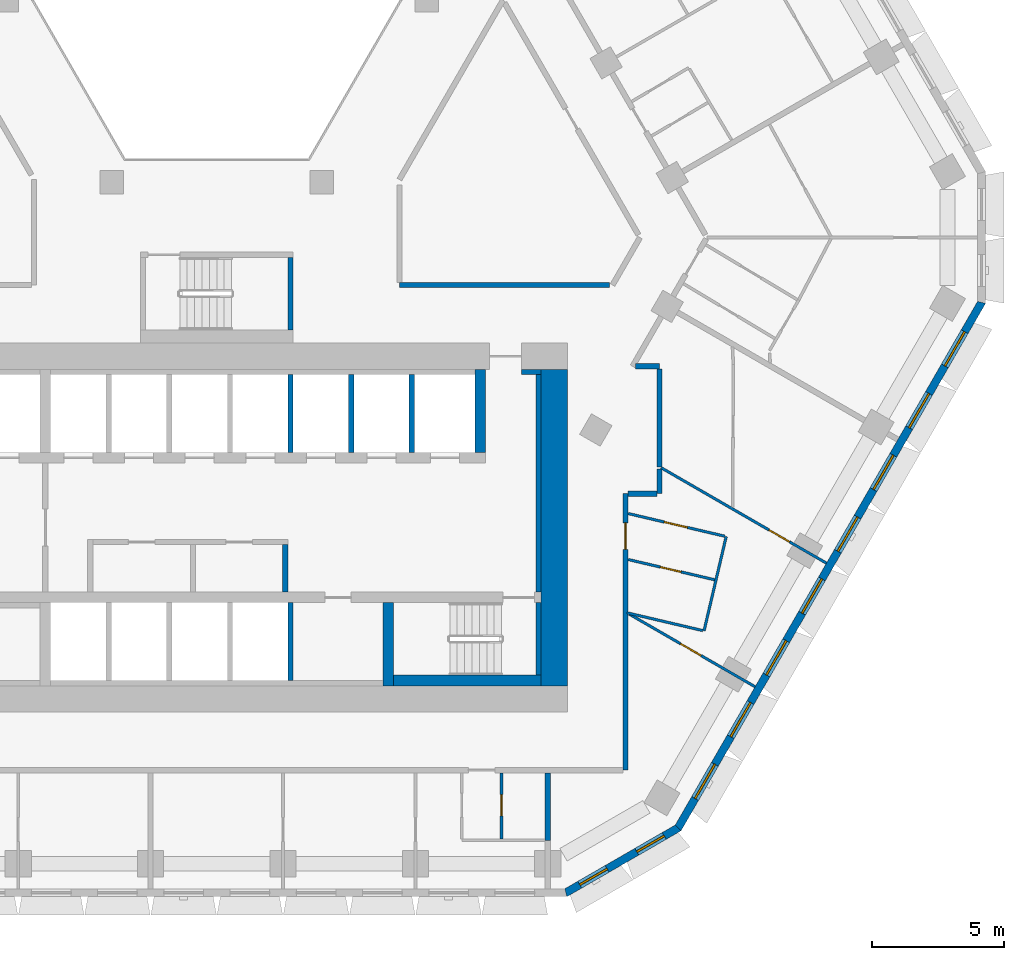
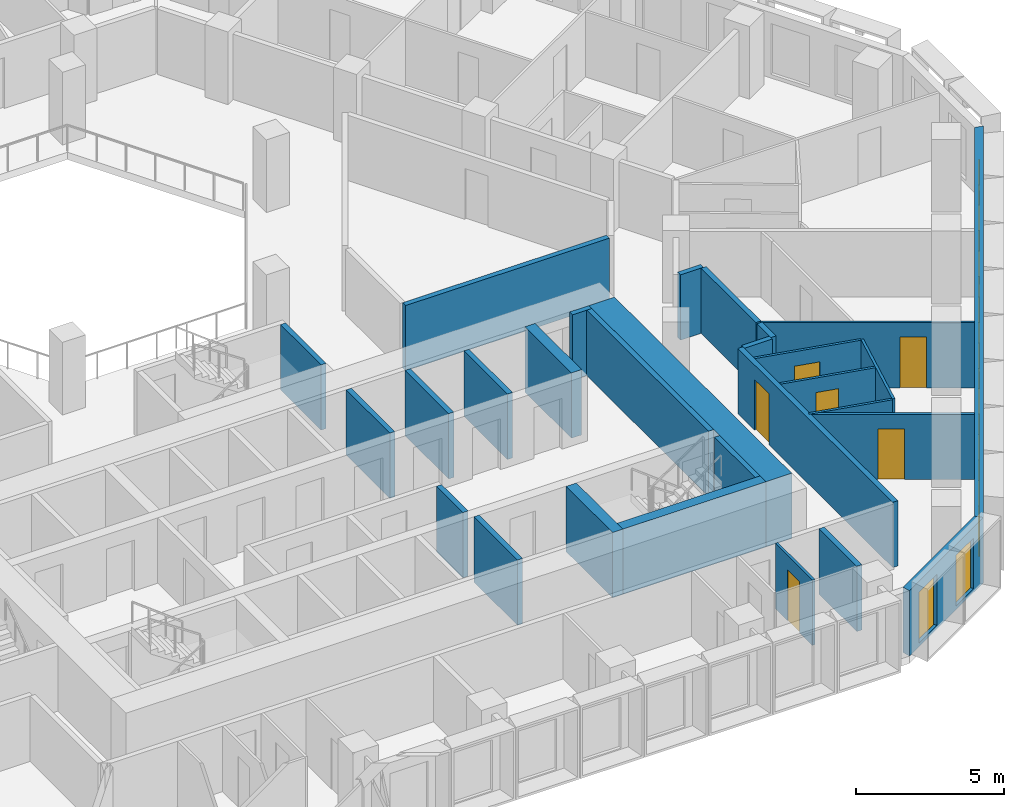
# One storey, part 6 of 18: 29 walls, 10 windows, 6 doors, 16 openings.
"""IFC4 building model written with IfcOpenShell, lengths in metres."""

from ifc_helpers import new_model, si_unit, direction, frame, frame_2d, origin, place, context, subcontext, project, spatial, polyline, rectangle, outline, extrude, material, layer, layer_set, type_object, element, fill, save


model = new_model("IFC4")

# Units and contexts
model_context = context("Model", 3, precision=1e-05, world=origin(), true_north=direction((0.0, 1.0)))
body_context = subcontext(model_context, "Body", "Model", "MODEL_VIEW")
ifc_project = project(units=[si_unit("LENGTHUNIT", "METRE"), si_unit("AREAUNIT", "SQUARE_METRE"), si_unit("VOLUMEUNIT", "CUBIC_METRE"), si_unit("PLANEANGLEUNIT", "RADIAN"), si_unit("MASSUNIT", "GRAM", prefix="KILO")], contexts=[model_context])

# Site, building, storey
site_placement = place(None, origin())
site = spatial("IfcSite", under=ifc_project, at=site_placement, CompositionType="ELEMENT")
building_placement = place(site_placement, origin())
building = spatial("IfcBuilding", under=site, at=building_placement, Name="Beryl Residences", CompositionType="ELEMENT")
storey_placement = place(building_placement, frame((0.0, 0.0, 75.0)))
storey = spatial("IfcBuildingStorey", under=building, at=storey_placement, Name="L22", CompositionType="ELEMENT", Elevation=75.0)

# Wall, openings, windows
ifc_material_1 = material(Name="Composite metal panel with mineral wool insulation")
ifc_layer_1 = layer(ifc_material_1, 0.300048828125)
ifc_layer_set_1 = layer_set([ifc_layer_1], Name="ES1 pale metal composite panel wall 300 mm")
wall_type_1 = type_object("IfcWallType", Name="ES1 pale metal composite panel wall 300 mm", PredefinedType="SOLIDWALL", material=ifc_layer_set_1)
wall_1_placement = place(storey_placement, frame((13.2041015625, -25.8701171875, 0.0), z_axis=(0.0, 0.0, 1.0), x_axis=(0.866010750942, 0.50002537861, 0.0)))
wall_1 = element("IfcWall", 1, at=wall_1_placement, inside=storey, type_object=wall_type_1, Name="ES1 external wall L22 S-SE", PredefinedType="SOLIDWALL", context=body_context, shape_type="SweptSolid", body=[
    extrude(outline(polyline([(0.0, -0.14990234375), (4.999755859375, -0.14990234375), (4.91943359375, 0.14990234375), (0.080322265625, 0.14990234375), (0.0, -0.14990234375)])), origin(), (0.0, 0.0, 1.0), 2.699951171875),
])
opening_1_placement = place(wall_1_placement, frame((0.64990234375, 0.0, 0.14990234375)))
opening_1 = element("IfcOpeningElement", 2, at=opening_1_placement, cuts=wall_1, Name="Opening W2", PredefinedType="OPENING", context=body_context, shape_type="SweptSolid", body=[
    extrude(rectangle(XDim=1.199951171875, YDim=2.10009765625, at=frame_2d((0.60009765625, 1.050048828125))), frame((0.0, 0.159912109375, 0.0), z_axis=(0.0, -1.0, 0.0), x_axis=(1.0, 0.0, 0.0)), (0.0, 0.0, 1.0), 0.320068359375),
])
opening_2_placement = place(wall_1_placement, frame((3.14892578125, 0.0, 0.14990234375)))
opening_2 = element("IfcOpeningElement", 3, at=opening_2_placement, cuts=wall_1, Name="Opening W2", PredefinedType="OPENING", context=body_context, shape_type="SweptSolid", body=[
    extrude(rectangle(XDim=1.199951171875, YDim=2.10009765625, at=frame_2d((0.60009765625, 1.050048828125))), frame((0.0, 0.159912109375, 0.0), z_axis=(0.0, -1.0, 0.0), x_axis=(1.0, 0.0, 0.0)), (0.0, 0.0, 1.0), 0.320068359375),
])
ifc_material_2 = material(Name="Aluminium and clear glass", Category="aluminium")
window_type_1 = type_object("IfcWindowType", Name="W2 chamfer window 1200 x 2100 mm", PartitioningType="SINGLE_PANEL", PredefinedType="WINDOW", material=ifc_material_2)
window_1_placement = place(opening_1_placement, origin())
window_1 = element("IfcWindow", 4, at=window_1_placement, inside=storey, type_object=window_type_1, Name="W2 window L22 S-SE 1", OverallHeight=2.10009765625, OverallWidth=1.199951171875, PartitioningType="SINGLE_PANEL", PredefinedType="WINDOW", context=body_context, shape_type="SweptSolid", body=[
    extrude(rectangle(XDim=1.199951171875, YDim=2.10009765625, at=frame_2d((0.60009765625, 1.050048828125))), frame((0.0, 0.030029296875, 0.0), z_axis=(0.0, -1.0, 0.0), x_axis=(1.0, 0.0, 0.0)), (0.0, 0.0, 1.0), 0.06005859375),
])
fill(opening_1, window_1)
window_2_placement = place(opening_2_placement, origin())
window_2 = element("IfcWindow", 5, at=window_2_placement, inside=storey, type_object=window_type_1, Name="W2 window L22 S-SE 2", OverallHeight=2.10009765625, OverallWidth=1.199951171875, PartitioningType="SINGLE_PANEL", PredefinedType="WINDOW", context=body_context, shape_type="SweptSolid", body=[
    extrude(rectangle(XDim=1.199951171875, YDim=2.10009765625, at=frame_2d((0.60009765625, 1.050048828125))), frame((0.0, 0.030029296875, 0.0), z_axis=(0.0, -1.0, 0.0), x_axis=(1.0, 0.0, 0.0)), (0.0, 0.0, 1.0), 0.06005859375),
])
fill(opening_2, window_2)

wall_2_placement = place(storey_placement, frame((17.47900390625, -23.425048828125, 0.0), z_axis=(0.0, 0.0, 1.0), x_axis=(0.500035407905, 0.866004960056, 0.0)))
wall_2 = element("IfcWall", 6, at=wall_2_placement, inside=storey, type_object=wall_type_1, Name="ES1 external wall L22 SE", PredefinedType="SOLIDWALL", context=body_context, shape_type="SweptSolid", body=[
    extrude(outline(polyline([(0.0, -0.14990234375), (23.094482421875, -0.14990234375), (23.01416015625, 0.14990234375), (0.080322265625, 0.14990234375), (0.0, -0.14990234375)])), origin(), (0.0, 0.0, 1.0), 2.699951171875),
])
opening_3_placement = place(wall_2_placement, frame((1.323974609375, 0.0, 0.14990234375)))
opening_3 = element("IfcOpeningElement", 7, at=opening_3_placement, cuts=wall_2, Name="Opening W1", PredefinedType="OPENING", context=body_context, shape_type="SweptSolid", body=[
    extrude(rectangle(XDim=1.5, YDim=2.10009765625, at=frame_2d((0.75, 1.050048828125))), frame((0.0, 0.159912109375, 0.0), z_axis=(0.0, -1.0, 0.0), x_axis=(1.0, 0.0, 0.0)), (0.0, 0.0, 1.0), 0.320068359375),
])
opening_4_placement = place(wall_2_placement, frame((4.031005859375, 0.0, 0.14990234375)))
opening_4 = element("IfcOpeningElement", 8, at=opening_4_placement, cuts=wall_2, Name="Opening W1", PredefinedType="OPENING", context=body_context, shape_type="SweptSolid", body=[
    extrude(rectangle(XDim=1.5, YDim=2.10009765625, at=frame_2d((0.75, 1.050048828125))), frame((0.0, 0.159912109375, 0.0), z_axis=(0.0, -1.0, 0.0), x_axis=(1.0, 0.0, 0.0)), (0.0, 0.0, 1.0), 0.320068359375),
])
opening_5_placement = place(wall_2_placement, frame((6.737060546875, 0.0, 0.14990234375)))
opening_5 = element("IfcOpeningElement", 9, at=opening_5_placement, cuts=wall_2, Name="Opening W1", PredefinedType="OPENING", context=body_context, shape_type="SweptSolid", body=[
    extrude(rectangle(XDim=1.5, YDim=2.10009765625, at=frame_2d((0.75, 1.050048828125))), frame((0.0, 0.159912109375, 0.0), z_axis=(0.0, -1.0, 0.0), x_axis=(1.0, 0.0, 0.0)), (0.0, 0.0, 1.0), 0.320068359375),
])
opening_6_placement = place(wall_2_placement, frame((9.444091796875, 0.0, 0.14990234375)))
opening_6 = element("IfcOpeningElement", 10, at=opening_6_placement, cuts=wall_2, Name="Opening W1", PredefinedType="OPENING", context=body_context, shape_type="SweptSolid", body=[
    extrude(rectangle(XDim=1.5, YDim=2.10009765625, at=frame_2d((0.75, 1.050048828125))), frame((0.0, 0.159912109375, 0.0), z_axis=(0.0, -1.0, 0.0), x_axis=(1.0, 0.0, 0.0)), (0.0, 0.0, 1.0), 0.320068359375),
])
opening_7_placement = place(wall_2_placement, frame((12.15087890625, 0.0, 0.14990234375)))
opening_7 = element("IfcOpeningElement", 11, at=opening_7_placement, cuts=wall_2, Name="Opening W1", PredefinedType="OPENING", context=body_context, shape_type="SweptSolid", body=[
    extrude(rectangle(XDim=1.5, YDim=2.10009765625, at=frame_2d((0.75, 1.050048828125))), frame((0.0, 0.159912109375, 0.0), z_axis=(0.0, -1.0, 0.0), x_axis=(1.0, 0.0, 0.0)), (0.0, 0.0, 1.0), 0.320068359375),
])
opening_8_placement = place(wall_2_placement, frame((14.85693359375, 0.0, 0.14990234375)))
opening_8 = element("IfcOpeningElement", 12, at=opening_8_placement, cuts=wall_2, Name="Opening W1", PredefinedType="OPENING", context=body_context, shape_type="SweptSolid", body=[
    extrude(rectangle(XDim=1.5, YDim=2.10009765625, at=frame_2d((0.75, 1.050048828125))), frame((0.0, 0.159912109375, 0.0), z_axis=(0.0, -1.0, 0.0), x_axis=(1.0, 0.0, 0.0)), (0.0, 0.0, 1.0), 0.320068359375),
])
opening_9_placement = place(wall_2_placement, frame((17.56396484375, 0.0, 0.14990234375)))
opening_9 = element("IfcOpeningElement", 13, at=opening_9_placement, cuts=wall_2, Name="Opening W1", PredefinedType="OPENING", context=body_context, shape_type="SweptSolid", body=[
    extrude(rectangle(XDim=1.5, YDim=2.10009765625, at=frame_2d((0.75, 1.050048828125))), frame((0.0, 0.159912109375, 0.0), z_axis=(0.0, -1.0, 0.0), x_axis=(1.0, 0.0, 0.0)), (0.0, 0.0, 1.0), 0.320068359375),
])
opening_10_placement = place(wall_2_placement, frame((20.27099609375, 0.0, 0.14990234375)))
opening_10 = element("IfcOpeningElement", 14, at=opening_10_placement, cuts=wall_2, Name="Opening W1", PredefinedType="OPENING", context=body_context, shape_type="SweptSolid", body=[
    extrude(rectangle(XDim=1.5, YDim=2.10009765625, at=frame_2d((0.75, 1.050048828125))), frame((0.0, 0.159912109375, 0.0), z_axis=(0.0, -1.0, 0.0), x_axis=(1.0, 0.0, 0.0)), (0.0, 0.0, 1.0), 0.320068359375),
])
ifc_material_3 = material(Name="Aluminium and clear glass", Category="aluminium")
window_type_2 = type_object("IfcWindowType", Name="W1 cell window 1500 x 2100 mm", PartitioningType="SINGLE_PANEL", PredefinedType="WINDOW", material=ifc_material_3)
window_3_placement = place(opening_3_placement, origin())
window_3 = element("IfcWindow", 15, at=window_3_placement, inside=storey, type_object=window_type_2, Name="W1 window L22 SE 1", OverallHeight=2.10009765625, OverallWidth=1.5, PartitioningType="SINGLE_PANEL", PredefinedType="WINDOW", context=body_context, shape_type="SweptSolid", body=[
    extrude(rectangle(XDim=1.5, YDim=2.10009765625, at=frame_2d((0.75, 1.050048828125))), frame((0.0, 0.030029296875, 0.0), z_axis=(0.0, -1.0, 0.0), x_axis=(1.0, 0.0, 0.0)), (0.0, 0.0, 1.0), 0.06005859375),
])
fill(opening_3, window_3)
window_4_placement = place(opening_4_placement, origin())
window_4 = element("IfcWindow", 16, at=window_4_placement, inside=storey, type_object=window_type_2, Name="W1 window L22 SE 2", OverallHeight=2.10009765625, OverallWidth=1.5, PartitioningType="SINGLE_PANEL", PredefinedType="WINDOW", context=body_context, shape_type="SweptSolid", body=[
    extrude(rectangle(XDim=1.5, YDim=2.10009765625, at=frame_2d((0.75, 1.050048828125))), frame((0.0, 0.030029296875, 0.0), z_axis=(0.0, -1.0, 0.0), x_axis=(1.0, 0.0, 0.0)), (0.0, 0.0, 1.0), 0.06005859375),
])
fill(opening_4, window_4)
window_5_placement = place(opening_5_placement, origin())
window_5 = element("IfcWindow", 17, at=window_5_placement, inside=storey, type_object=window_type_2, Name="W1 window L22 SE 3", OverallHeight=2.10009765625, OverallWidth=1.5, PartitioningType="SINGLE_PANEL", PredefinedType="WINDOW", context=body_context, shape_type="SweptSolid", body=[
    extrude(rectangle(XDim=1.5, YDim=2.10009765625, at=frame_2d((0.75, 1.050048828125))), frame((0.0, 0.030029296875, 0.0), z_axis=(0.0, -1.0, 0.0), x_axis=(1.0, 0.0, 0.0)), (0.0, 0.0, 1.0), 0.06005859375),
])
fill(opening_5, window_5)
window_6_placement = place(opening_6_placement, origin())
window_6 = element("IfcWindow", 18, at=window_6_placement, inside=storey, type_object=window_type_2, Name="W1 window L22 SE 4", OverallHeight=2.10009765625, OverallWidth=1.5, PartitioningType="SINGLE_PANEL", PredefinedType="WINDOW", context=body_context, shape_type="SweptSolid", body=[
    extrude(rectangle(XDim=1.5, YDim=2.10009765625, at=frame_2d((0.75, 1.050048828125))), frame((0.0, 0.030029296875, 0.0), z_axis=(0.0, -1.0, 0.0), x_axis=(1.0, 0.0, 0.0)), (0.0, 0.0, 1.0), 0.06005859375),
])
fill(opening_6, window_6)
window_7_placement = place(opening_7_placement, origin())
window_7 = element("IfcWindow", 19, at=window_7_placement, inside=storey, type_object=window_type_2, Name="W1 window L22 SE 5", OverallHeight=2.10009765625, OverallWidth=1.5, PartitioningType="SINGLE_PANEL", PredefinedType="WINDOW", context=body_context, shape_type="SweptSolid", body=[
    extrude(rectangle(XDim=1.5, YDim=2.10009765625, at=frame_2d((0.75, 1.050048828125))), frame((0.0, 0.030029296875, 0.0), z_axis=(0.0, -1.0, 0.0), x_axis=(1.0, 0.0, 0.0)), (0.0, 0.0, 1.0), 0.06005859375),
])
fill(opening_7, window_7)
window_8_placement = place(opening_8_placement, origin())
window_8 = element("IfcWindow", 20, at=window_8_placement, inside=storey, type_object=window_type_2, Name="W1 window L22 SE 6", OverallHeight=2.10009765625, OverallWidth=1.5, PartitioningType="SINGLE_PANEL", PredefinedType="WINDOW", context=body_context, shape_type="SweptSolid", body=[
    extrude(rectangle(XDim=1.5, YDim=2.10009765625, at=frame_2d((0.75, 1.050048828125))), frame((0.0, 0.030029296875, 0.0), z_axis=(0.0, -1.0, 0.0), x_axis=(1.0, 0.0, 0.0)), (0.0, 0.0, 1.0), 0.06005859375),
])
fill(opening_8, window_8)
window_9_placement = place(opening_9_placement, origin())
window_9 = element("IfcWindow", 21, at=window_9_placement, inside=storey, type_object=window_type_2, Name="W1 window L22 SE 7", OverallHeight=2.10009765625, OverallWidth=1.5, PartitioningType="SINGLE_PANEL", PredefinedType="WINDOW", context=body_context, shape_type="SweptSolid", body=[
    extrude(rectangle(XDim=1.5, YDim=2.10009765625, at=frame_2d((0.75, 1.050048828125))), frame((0.0, 0.030029296875, 0.0), z_axis=(0.0, -1.0, 0.0), x_axis=(1.0, 0.0, 0.0)), (0.0, 0.0, 1.0), 0.06005859375),
])
fill(opening_9, window_9)
window_10_placement = place(opening_10_placement, origin())
window_10 = element("IfcWindow", 22, at=window_10_placement, inside=storey, type_object=window_type_2, Name="W1 window L22 SE 8", OverallHeight=2.10009765625, OverallWidth=1.5, PartitioningType="SINGLE_PANEL", PredefinedType="WINDOW", context=body_context, shape_type="SweptSolid", body=[
    extrude(rectangle(XDim=1.5, YDim=2.10009765625, at=frame_2d((0.75, 1.050048828125))), frame((0.0, 0.030029296875, 0.0), z_axis=(0.0, -1.0, 0.0), x_axis=(1.0, 0.0, 0.0)), (0.0, 0.0, 1.0), 0.06005859375),
])
fill(opening_10, window_10)

# Wall, opening, door
ifc_material_4 = material(Name="Gypsum board partition on steel studs", Category="steel")
ifc_layer_2 = layer(ifc_material_4, 0.10009765625)
ifc_layer_set_2 = layer_set([ifc_layer_2], Name="PT1 partition 100 mm gypsum board on steel studs")
wall_type_2 = type_object("IfcWallType", Name="PT1 partition 100 mm gypsum board on steel studs", PredefinedType="PARTITIONING", material=ifc_layer_set_2)
wall_3_placement = place(storey_placement, frame((15.60009765625, -11.468017578125, 0.0), z_axis=(0.0, 0.0, 1.0), x_axis=(0.973560523801, -0.228429215503, 0.0)))
wall_3 = element("IfcWall", 23, at=wall_3_placement, inside=storey, type_object=wall_type_2, Name="Wall PT1 L22 017", PredefinedType="PARTITIONING", context=body_context, shape_type="SweptSolid", body=[
    extrude(rectangle(XDim=3.76953125, YDim=0.10009765625, at=frame_2d((1.884765625, 0.0))), origin(), (0.0, 0.0, 1.0), 2.699951171875),
])
opening_11_placement = place(wall_3_placement, frame((1.408935546875, 0.0, 0.0)))
opening_11 = element("IfcOpeningElement", 24, at=opening_11_placement, cuts=wall_3, Name="Opening D0639", PredefinedType="OPENING", context=body_context, shape_type="SweptSolid", body=[
    extrude(rectangle(XDim=0.89990234375, YDim=2.10009765625, at=frame_2d((0.449951171875, 1.050048828125))), frame((0.0, 0.06005859375, 0.0), z_axis=(0.0, -1.0, 0.0), x_axis=(1.0, 0.0, 0.0)), (0.0, 0.0, 1.0), 0.1201171875),
])
ifc_material_5 = material(Name="Timber door leaf", Category="wood")
door_type_1 = type_object("IfcDoorType", Name="D2 room door 900 x 2100 mm", OperationType="SINGLE_SWING_LEFT", PredefinedType="DOOR", material=ifc_material_5)
door_1_placement = place(opening_11_placement, origin())
door_1 = element("IfcDoor", 25, at=door_1_placement, inside=storey, type_object=door_type_1, Name="Door D0639 L22 001", OperationType="SINGLE_SWING_LEFT", OverallHeight=2.10009765625, OverallWidth=0.89990234375, PredefinedType="DOOR", context=body_context, shape_type="SweptSolid", body=[
    extrude(rectangle(XDim=0.89990234375, YDim=2.10009765625, at=frame_2d((0.449951171875, 1.050048828125))), frame((0.0, 0.02490234375, 0.0), z_axis=(0.0, -1.0, 0.0), x_axis=(1.0, 0.0, 0.0)), (0.0, 0.0, 1.0), 0.050048828125),
])
fill(opening_11, door_1)

wall_4_placement = place(storey_placement, frame((15.60009765625, -13.2109375, 0.0), z_axis=(0.0, 0.0, 1.0), x_axis=(0.973593440667, -0.228288879032, 0.0)))
wall_4 = element("IfcWall", 26, at=wall_4_placement, inside=storey, type_object=wall_type_2, Name="Wall PT1 L22 018", PredefinedType="PARTITIONING", context=body_context, shape_type="SweptSolid", body=[
    extrude(rectangle(XDim=3.373046875, YDim=0.10009765625, at=frame_2d((1.6865234375, 0.0))), origin(), (0.0, 0.0, 1.0), 2.699951171875),
])
opening_12_placement = place(wall_4_placement, frame((1.260009765625, 0.0, 0.0)))
opening_12 = element("IfcOpeningElement", 27, at=opening_12_placement, cuts=wall_4, Name="Opening D0640", PredefinedType="OPENING", context=body_context, shape_type="SweptSolid", body=[
    extrude(rectangle(XDim=0.800048828125, YDim=2.10009765625, at=frame_2d((0.39990234375, 1.050048828125))), frame((0.0, 0.06005859375, 0.0), z_axis=(0.0, -1.0, 0.0), x_axis=(1.0, 0.0, 0.0)), (0.0, 0.0, 1.0), 0.1201171875),
])
ifc_material_6 = material(Name="Timber door leaf", Category="wood")
door_type_2 = type_object("IfcDoorType", Name="D3 bathroom door 800 x 2100 mm", OperationType="SINGLE_SWING_LEFT", PredefinedType="DOOR", material=ifc_material_6)
door_2_placement = place(opening_12_placement, origin())
door_2 = element("IfcDoor", 28, at=door_2_placement, inside=storey, type_object=door_type_2, Name="Door D0640 L22 001", OperationType="SINGLE_SWING_RIGHT", OverallHeight=2.10009765625, OverallWidth=0.800048828125, PredefinedType="DOOR", context=body_context, shape_type="SweptSolid", body=[
    extrude(rectangle(XDim=0.800048828125, YDim=2.10009765625, at=frame_2d((0.39990234375, 1.050048828125))), frame((0.0, 0.02490234375, 0.0), z_axis=(0.0, -1.0, 0.0), x_axis=(1.0, 0.0, 0.0)), (0.0, 0.0, 1.0), 0.050048828125),
])
fill(opening_12, door_2)

# Wall
wall_5_placement = place(storey_placement, frame((15.56005859375, -15.23388671875, 0.0), z_axis=(0.0, 0.0, 1.0), x_axis=(0.973598200068, -0.228268580457, 0.0)))
element("IfcWall", 29, at=wall_5_placement, inside=storey, type_object=wall_type_2, Name="Wall PT1 L22 019", PredefinedType="PARTITIONING", context=body_context, shape_type="SweptSolid", body=[
    extrude(rectangle(XDim=2.94873046875, YDim=0.10009765625, at=frame_2d((1.474365234375, 0.0))), origin(), (0.0, 0.0, 1.0), 2.699951171875),
])

# Wall, opening, door
wall_6_placement = place(storey_placement, frame((15.64306640625, -15.281982421875, 0.0), z_axis=(0.0, 0.0, 1.0), x_axis=(0.865990833325, -0.500059873013, 0.0)))
wall_6 = element("IfcWall", 30, at=wall_6_placement, inside=storey, type_object=wall_type_2, Name="Wall PT1 L22 023", PredefinedType="PARTITIONING", context=body_context, shape_type="SweptSolid", body=[
    extrude(rectangle(XDim=5.511474609375, YDim=0.10009765625, at=frame_2d((2.755859375, 0.0))), origin(), (0.0, 0.0, 1.0), 2.699951171875),
])
opening_13_placement = place(wall_6_placement, frame((2.248046875, 0.0, 0.0)))
opening_13 = element("IfcOpeningElement", 31, at=opening_13_placement, cuts=wall_6, Name="Opening D0641", PredefinedType="OPENING", context=body_context, shape_type="SweptSolid", body=[
    extrude(rectangle(XDim=0.89990234375, YDim=2.10009765625, at=frame_2d((0.449951171875, 1.050048828125))), frame((0.0, 0.06005859375, 0.0), z_axis=(0.0, -1.0, 0.0), x_axis=(1.0, 0.0, 0.0)), (0.0, 0.0, 1.0), 0.1201171875),
])
door_3_placement = place(opening_13_placement, origin())
door_3 = element("IfcDoor", 32, at=door_3_placement, inside=storey, type_object=door_type_1, Name="Door D0641 L22 001", OperationType="SINGLE_SWING_LEFT", OverallHeight=2.10009765625, OverallWidth=0.89990234375, PredefinedType="DOOR", context=body_context, shape_type="SweptSolid", body=[
    extrude(rectangle(XDim=0.89990234375, YDim=2.10009765625, at=frame_2d((0.449951171875, 1.050048828125))), frame((0.0, 0.02490234375, 0.0), z_axis=(0.0, -1.0, 0.0), x_axis=(1.0, 0.0, 0.0)), (0.0, 0.0, 1.0), 0.050048828125),
])
fill(opening_13, door_3)

wall_7_placement = place(storey_placement, frame((16.85107421875, -9.72900390625, 0.0), z_axis=(0.0, 0.0, 1.0), x_axis=(0.866027278279, -0.499996753267, 0.0)))
wall_7 = element("IfcWall", 33, at=wall_7_placement, inside=storey, type_object=wall_type_2, Name="Wall PT1 L22 026", PredefinedType="PARTITIONING", context=body_context, shape_type="SweptSolid", body=[
    extrude(rectangle(XDim=7.2421875, YDim=0.10009765625, at=frame_2d((3.62109375, 0.0))), origin(), (0.0, 0.0, 1.0), 2.699951171875),
])
opening_14_placement = place(wall_7_placement, frame((4.72802734375, 0.0, 0.0)))
opening_14 = element("IfcOpeningElement", 34, at=opening_14_placement, cuts=wall_7, Name="Opening D0642", PredefinedType="OPENING", context=body_context, shape_type="SweptSolid", body=[
    extrude(rectangle(XDim=0.89990234375, YDim=2.10009765625, at=frame_2d((0.449951171875, 1.050048828125))), frame((0.0, 0.06005859375, 0.0), z_axis=(0.0, -1.0, 0.0), x_axis=(1.0, 0.0, 0.0)), (0.0, 0.0, 1.0), 0.1201171875),
])
door_4_placement = place(opening_14_placement, origin())
door_4 = element("IfcDoor", 35, at=door_4_placement, inside=storey, type_object=door_type_1, Name="Door D0642 L22 001", OperationType="SINGLE_SWING_RIGHT", OverallHeight=2.10009765625, OverallWidth=0.89990234375, PredefinedType="DOOR", context=body_context, shape_type="SweptSolid", body=[
    extrude(rectangle(XDim=0.89990234375, YDim=2.10009765625, at=frame_2d((0.449951171875, 1.050048828125))), frame((0.0, 0.02490234375, 0.0), z_axis=(0.0, -1.0, 0.0), x_axis=(1.0, 0.0, 0.0)), (0.0, 0.0, 1.0), 0.050048828125),
])
fill(opening_14, door_4)

# Wall
wall_8_placement = place(storey_placement, frame((18.48095703125, -15.91796875, 0.0), z_axis=(0.0, 0.0, 1.0), x_axis=(0.228391116115, 0.97356946238, 0.0)))
element("IfcWall", 36, at=wall_8_placement, inside=storey, type_object=wall_type_2, Name="Wall PT1 L22 048", PredefinedType="PARTITIONING", context=body_context, shape_type="SweptSolid", body=[
    extrude(rectangle(XDim=3.674072265625, YDim=0.10009765625, at=frame_2d((1.8369140625, 0.0))), origin(), (0.0, 0.0, 1.0), 2.699951171875),
])

# Wall, opening, door
wall_9_placement = place(storey_placement, frame((10.800048828125, -23.81005859375, 0.0), z_axis=(0.0, 0.0, 1.0), x_axis=(0.0, 1.0, 0.0)))
wall_9 = element("IfcWall", 37, at=wall_9_placement, inside=storey, type_object=wall_type_2, Name="Wall PT1 L22 057", PredefinedType="PARTITIONING", context=body_context, shape_type="SweptSolid", body=[
    extrude(rectangle(XDim=2.510009765625, YDim=0.10009765625, at=frame_2d((1.2548828125, 0.0))), origin(), (0.0, 0.0, 1.0), 2.699951171875),
])
opening_15_placement = place(wall_9_placement, frame((0.8798828125, 0.0, 0.0)))
opening_15 = element("IfcOpeningElement", 38, at=opening_15_placement, cuts=wall_9, Name="Opening D0635", PredefinedType="OPENING", context=body_context, shape_type="SweptSolid", body=[
    extrude(rectangle(XDim=0.800048828125, YDim=2.10009765625, at=frame_2d((0.39990234375, 1.050048828125))), frame((0.0, 0.06005859375, 0.0), z_axis=(0.0, -1.0, 0.0), x_axis=(1.0, 0.0, 0.0)), (0.0, 0.0, 1.0), 0.1201171875),
])
door_5_placement = place(opening_15_placement, origin())
door_5 = element("IfcDoor", 39, at=door_5_placement, inside=storey, type_object=door_type_2, Name="Door D0635 L22 001", OperationType="SINGLE_SWING_LEFT", OverallHeight=2.10009765625, OverallWidth=0.800048828125, PredefinedType="DOOR", context=body_context, shape_type="SweptSolid", body=[
    extrude(rectangle(XDim=0.800048828125, YDim=2.10009765625, at=frame_2d((0.39990234375, 1.050048828125))), frame((0.0, 0.02490234375, 0.0), z_axis=(0.0, -1.0, 0.0), x_axis=(1.0, 0.0, 0.0)), (0.0, 0.0, 1.0), 0.050048828125),
])
fill(opening_15, door_5)

# Walls
ifc_material_7 = material(Name="Concrete masonry", Category="masonry")
ifc_layer_3 = layer(ifc_material_7, 0.199951171875)
ifc_layer_set_3 = layer_set([ifc_layer_3], Name="PT13 lobby wall 200 mm")
wall_type_3 = type_object("IfcWallType", Name="PT13 lobby wall 200 mm", PredefinedType="PARTITIONING", material=ifc_layer_set_3)
wall_10_placement = place(storey_placement, frame((2.60009765625, -14.449951171875, 0.0), z_axis=(0.0, 0.0, 1.0), x_axis=(0.0, 1.0, 0.0)))
element("IfcWall", 40, at=wall_10_placement, inside=storey, type_object=wall_type_3, Name="Lobby wall 23", PredefinedType="PARTITIONING", context=body_context, shape_type="SweptSolid", body=[
    extrude(rectangle(XDim=1.800048828125, YDim=0.199951171875, at=frame_2d((0.89990234375, 0.0))), origin(), (0.0, 0.0, 1.0), 2.699951171875),
])
wall_11_placement = place(storey_placement, frame((11.550048828125, -6.10009765625, 0.0), z_axis=(0.0, 0.0, 1.0), x_axis=(1.0, 0.0, 0.0)))
element("IfcWall", 41, at=wall_11_placement, inside=storey, type_object=wall_type_3, Name="Lobby wall 29", PredefinedType="PARTITIONING", context=body_context, shape_type="SweptSolid", body=[
    extrude(rectangle(XDim=0.75, YDim=0.199951171875, at=frame_2d((0.375, 0.0))), origin(), (0.0, 0.0, 1.0), 2.699951171875),
])
wall_12_placement = place(storey_placement, frame((12.199951171875, -14.449951171875, 0.0), z_axis=(0.0, 0.0, 1.0), x_axis=(0.0, 1.0, 0.0)))
element("IfcWall", 42, at=wall_12_placement, inside=storey, type_object=wall_type_3, Name="Lobby wall 31", PredefinedType="PARTITIONING", context=body_context, shape_type="SweptSolid", body=[
    extrude(rectangle(XDim=8.25, YDim=0.199951171875, at=frame_2d((4.125, 0.0))), origin(), (0.0, 0.0, 1.0), 2.699951171875),
])
ifc_material_8 = material(Name="Acoustic double stud gypsum board wall")
ifc_layer_4 = layer(ifc_material_8, 0.199951171875)
ifc_layer_set_4 = layer_set([ifc_layer_4], Name="PT3 party wall 200 mm acoustic double stud")
wall_type_4 = type_object("IfcWallType", Name="PT3 party wall 200 mm acoustic double stud", PredefinedType="PARTITIONING", material=ifc_layer_set_4)
wall_13_placement = place(storey_placement, frame((12.55810546875, -23.860107421875, 0.0), z_axis=(0.0, 0.0, 1.0), x_axis=(0.0, 1.0, 0.0)))
element("IfcWall", 43, at=wall_13_placement, inside=storey, type_object=wall_type_4, Name="Wall PT3 L22 005", PredefinedType="PARTITIONING", context=body_context, shape_type="SweptSolid", body=[
    extrude(rectangle(XDim=2.56005859375, YDim=0.199951171875, at=frame_2d((1.280029296875, 0.0))), origin(), (0.0, 0.0, 1.0), 2.699951171875),
])
ifc_material_9 = material(Name="Double stud gypsum board wall")
ifc_layer_5 = layer(ifc_material_9, 0.199951171875)
ifc_layer_set_5 = layer_set([ifc_layer_5], Name="PT4 corridor wall 200 mm double stud")
wall_type_5 = type_object("IfcWallType", Name="PT4 corridor wall 200 mm double stud", PredefinedType="PARTITIONING", material=ifc_layer_set_5)
wall_14_placement = place(storey_placement, frame((16.791015625, -5.986083984375, 0.0), z_axis=(0.0, 0.0, 1.0), x_axis=(0.0, -1.0, 0.0)))
element("IfcWall", 44, at=wall_14_placement, inside=storey, type_object=wall_type_5, Name="Wall PT4 L22 010", PredefinedType="PARTITIONING", context=body_context, shape_type="SweptSolid", body=[
    extrude(rectangle(XDim=3.7080078125, YDim=0.199951171875, at=frame_2d((1.85400390625, 0.0))), origin(), (0.0, 0.0, 1.0), 2.699951171875),
])
wall_15_placement = place(storey_placement, frame((15.886962890625, -5.885009765625, 0.0), z_axis=(0.0, 0.0, 1.0), x_axis=(1.0, 0.0, 0.0)))
element("IfcWall", 45, at=wall_15_placement, inside=storey, type_object=wall_type_5, Name="Wall PT4 L22 012", PredefinedType="PARTITIONING", context=body_context, shape_type="SweptSolid", body=[
    extrude(rectangle(XDim=0.903076171875, YDim=0.199951171875, at=frame_2d((0.45166015625, 0.0))), origin(), (0.0, 0.0, 1.0), 2.699951171875),
])
wall_16_placement = place(storey_placement, frame((15.60107421875, -10.715087890625, 0.0), z_axis=(0.0, 0.0, 1.0), x_axis=(1.0, 0.0, 0.0)))
element("IfcWall", 46, at=wall_16_placement, inside=storey, type_object=wall_type_5, Name="Wall PT4 L22 014", PredefinedType="PARTITIONING", context=body_context, shape_type="SweptSolid", body=[
    extrude(rectangle(XDim=1.0888671875, YDim=0.199951171875, at=frame_2d((0.54443359375, 0.0))), origin(), (0.0, 0.0, 1.0), 2.699951171875),
])
wall_17_placement = place(storey_placement, frame((6.928955078125, -2.800048828125, 0.0), z_axis=(0.0, 0.0, 1.0), x_axis=(1.0, 0.0, 0.0)))
element("IfcWall", 47, at=wall_17_placement, inside=storey, type_object=wall_type_5, Name="Wall PT4 L22 018", PredefinedType="PARTITIONING", context=body_context, shape_type="SweptSolid", body=[
    extrude(rectangle(XDim=7.966064453125, YDim=0.199951171875, at=frame_2d((3.98291015625, 0.0))), origin(), (0.0, 0.0, 1.0), 2.699951171875),
])

# Wall, opening, door
wall_18_placement = place(storey_placement, frame((15.5, -21.198974609375, 0.0), z_axis=(0.0, 0.0, 1.0), x_axis=(0.0, 1.0, 0.0)))
wall_18 = element("IfcWall", 48, at=wall_18_placement, inside=storey, type_object=wall_type_5, Name="Wall PT4 L22 029", PredefinedType="PARTITIONING", context=body_context, shape_type="SweptSolid", body=[
    extrude(rectangle(XDim=10.48291015625, YDim=0.199951171875, at=frame_2d((5.241455078125, 0.0))), origin(), (0.0, 0.0, 1.0), 2.699951171875),
])
opening_16_placement = place(wall_18_placement, frame((8.3759765625, 0.0, 0.0)))
opening_16 = element("IfcOpeningElement", 49, at=opening_16_placement, cuts=wall_18, Name="Opening D0638", PredefinedType="OPENING", context=body_context, shape_type="SweptSolid", body=[
    extrude(rectangle(XDim=1.0, YDim=2.10009765625, at=frame_2d((0.5, 1.050048828125))), frame((0.0, 0.10986328125, 0.0), z_axis=(0.0, -1.0, 0.0), x_axis=(1.0, 0.0, 0.0)), (0.0, 0.0, 1.0), 0.219970703125),
])
ifc_material_10 = material(Name="Timber door leaf", Category="wood")
door_type_3 = type_object("IfcDoorType", Name="D1 flat entrance door 1000 x 2100 mm", OperationType="SINGLE_SWING_LEFT", PredefinedType="DOOR", material=ifc_material_10)
door_6_placement = place(opening_16_placement, origin())
door_6 = element("IfcDoor", 50, at=door_6_placement, inside=storey, type_object=door_type_3, Name="Door D0638 L22 001", OperationType="SINGLE_SWING_RIGHT", OverallHeight=2.10009765625, OverallWidth=1.0, PredefinedType="DOOR", context=body_context, shape_type="SweptSolid", body=[
    extrude(rectangle(XDim=1.0, YDim=2.10009765625, at=frame_2d((0.5, 1.050048828125))), frame((0.0, 0.02490234375, 0.0), z_axis=(0.0, -1.0, 0.0), x_axis=(1.0, 0.0, 0.0)), (0.0, 0.0, 1.0), 0.050048828125),
])
fill(opening_16, door_6)

# Walls
wall_19_placement = place(storey_placement, frame((16.791015625, -10.714111328125, 0.0), z_axis=(0.0, 0.0, 1.0), x_axis=(0.0, 1.0, 0.0)))
element("IfcWall", 51, at=wall_19_placement, inside=storey, type_object=wall_type_5, Name="Wall PT4 L22 030", PredefinedType="PARTITIONING", context=body_context, shape_type="SweptSolid", body=[
    extrude(rectangle(XDim=0.942138671875, YDim=0.199951171875, at=frame_2d((0.47119140625, 0.0))), origin(), (0.0, 0.0, 1.0), 2.699951171875),
])
ifc_material_11 = material(Name="Concrete C40/50", Category="concrete")
ifc_layer_6 = layer(ifc_material_11, 0.199951171875)
ifc_layer_set_6 = layer_set([ifc_layer_6], Name="PT5 stair enclosure wall 200 mm reinforced concrete C40/50")
wall_type_6 = type_object("IfcWallType", Name="PT5 stair enclosure wall 200 mm reinforced concrete C40/50", PredefinedType="SOLIDWALL", material=ifc_layer_set_6)
for number, where, z_axis, x_axis, name in (
    (52, (2.800048828125, -4.5, 0.0), (0.0, 0.0, 1.0), (0.0, 1.0, 0.0), "Wall PT5 L22 003"),
    (53, (12.199951171875, -17.60009765625, 0.0), (0.0, 0.0, 1.0), (0.0, 1.0, 0.0), "Stair wall 30"),
):
    element("IfcWall", number, at=place(storey_placement, frame(where, z_axis=z_axis, x_axis=x_axis)), inside=storey, type_object=wall_type_6, Name=name, PredefinedType="SOLIDWALL", context=body_context, shape_type="SweptSolid", body=[
        extrude(rectangle(XDim=2.75, YDim=0.199951171875, at=frame_2d((1.375, 0.0))), origin(), (0.0, 0.0, 1.0), 2.699951171875),
    ])
ifc_material_12 = material(Name="Concrete C40/50", Category="concrete")
ifc_layer_7 = layer(ifc_material_12, 0.39990234375)
ifc_layer_set_7 = layer_set([ifc_layer_7], Name="PT5-400 stair enclosure wall 400 mm")
wall_type_7 = type_object("IfcWallType", Name="PT5-400 stair enclosure wall 400 mm", PredefinedType="SOLIDWALL", material=ifc_layer_set_7)
wall_20_placement = place(storey_placement, frame((6.699951171875, -17.800048828125, 0.0), z_axis=(0.0, 0.0, 1.0), x_axis=(1.0, 0.0, 0.0)))
element("IfcWall", 54, at=wall_20_placement, inside=storey, type_object=wall_type_7, Name="Stair wall 27", PredefinedType="SOLIDWALL", context=body_context, shape_type="SweptSolid", body=[
    extrude(rectangle(XDim=5.60009765625, YDim=0.39990234375, at=frame_2d((2.800048828125, 0.0))), origin(), (0.0, 0.0, 1.0), 2.699951171875),
])
ifc_material_13 = material(Name="Concrete C40/50", Category="concrete")
ifc_layer_8 = layer(ifc_material_13, 0.199951171875)
ifc_layer_set_8 = layer_set([ifc_layer_8], Name="PT6 lift shaft wall 200 mm reinforced concrete C40/50")
wall_type_8 = type_object("IfcWallType", Name="PT6 lift shaft wall 200 mm reinforced concrete C40/50", PredefinedType="SOLIDWALL", material=ifc_layer_set_8)
for number, where, z_axis, x_axis, name in (
    (55, (2.800048828125, -17.800048828125, 0.0), (0.0, 0.0, 1.0), (0.0, 1.0, 0.0), "Lift shaft wall 24"),
    (56, (2.800048828125, -9.14990234375, 0.0), (0.0, 0.0, 1.0), (0.0, 1.0, 0.0), "Lift shaft wall 25"),
    (57, (5.10009765625, -9.14990234375, 0.0), (0.0, 0.0, 1.0), (0.0, 1.0, 0.0), "Lift shaft wall 26"),
    (58, (7.39990234375, -9.14990234375, 0.0), (0.0, 0.0, 1.0), (0.0, 1.0, 0.0), "Lift shaft wall 28"),
):
    element("IfcWall", number, at=place(storey_placement, frame(where, z_axis=z_axis, x_axis=x_axis)), inside=storey, type_object=wall_type_8, Name=name, PredefinedType="SOLIDWALL", context=body_context, shape_type="SweptSolid", body=[
        extrude(rectangle(XDim=2.949951171875, YDim=0.199951171875, at=frame_2d((1.47509765625, 0.0))), origin(), (0.0, 0.0, 1.0), 2.699951171875),
    ])
ifc_material_14 = material(Name="Concrete C70/85", Category="concrete")
ifc_layer_9 = layer(ifc_material_14, 1.0)
ifc_layer_set_9 = layer_set([ifc_layer_9], Name="SW2 core outer wall 1000 mm C70/85")
wall_type_9 = type_object("IfcWallType", Name="SW2 core outer wall 1000 mm C70/85", PredefinedType="SHEAR", material=ifc_layer_set_9)
wall_21_placement = place(storey_placement, frame((12.800048828125, -18.0, 0.0), z_axis=(0.0, 0.0, 1.0), x_axis=(0.0, 1.0, 0.0)))
element("IfcWall", 59, at=wall_21_placement, inside=storey, type_object=wall_type_9, Name="Core wall E L22", PredefinedType="SHEAR", context=body_context, shape_type="SweptSolid", body=[
    extrude(rectangle(XDim=12.0, YDim=1.0, at=frame_2d((6.0, 0.0))), origin(), (0.0, 0.0, 1.0), 2.699951171875),
])
ifc_material_15 = material(Name="Concrete C70/85", Category="concrete")
ifc_layer_10 = layer(ifc_material_15, 0.39990234375)
ifc_layer_set_10 = layer_set([ifc_layer_10], Name="SW7 core internal wall 400 mm C70/85")
wall_type_10 = type_object("IfcWallType", Name="SW7 core internal wall 400 mm C70/85", PredefinedType="SHEAR", material=ifc_layer_set_10)
for number, where, z_axis, x_axis, name in (
    (60, (6.5, -18.0, 0.0), (0.0, 0.0, 1.0), (0.0, 1.0, 0.0), "Core wall XS2 L22"),
    (61, (10.0, -9.14990234375, 0.0), (0.0, 0.0, 1.0), (0.0, 1.0, 0.0), "Core wall XN2 L22"),
):
    element("IfcWall", number, at=place(storey_placement, frame(where, z_axis=z_axis, x_axis=x_axis)), inside=storey, type_object=wall_type_10, Name=name, PredefinedType="SHEAR", context=body_context, shape_type="SweptSolid", body=[
        extrude(rectangle(XDim=3.14990234375, YDim=0.39990234375, at=frame_2d((1.574951171875, 0.0))), origin(), (0.0, 0.0, 1.0), 2.699951171875),
    ])

save(model, "model.ifc")
